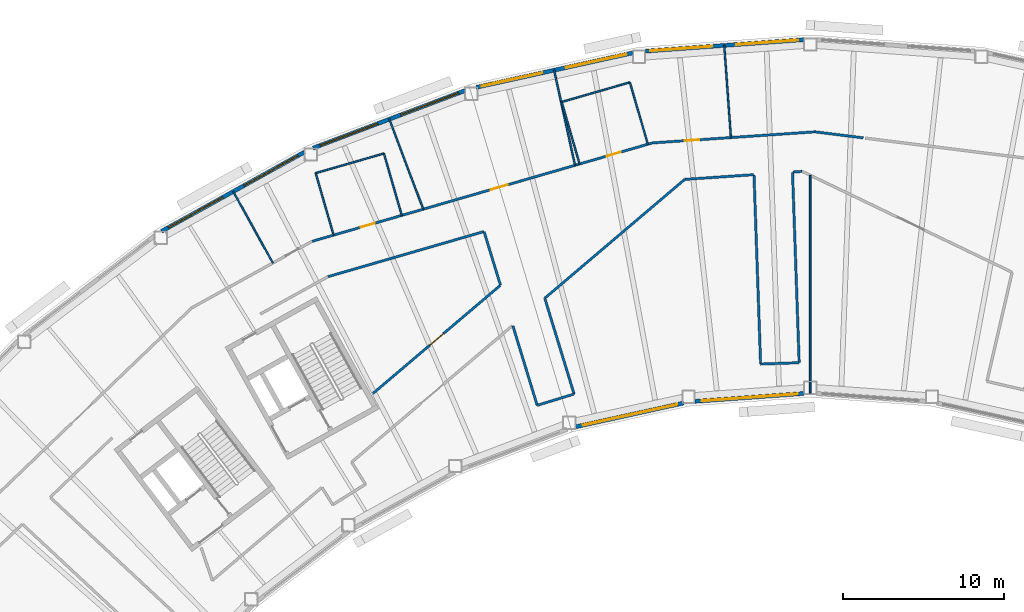
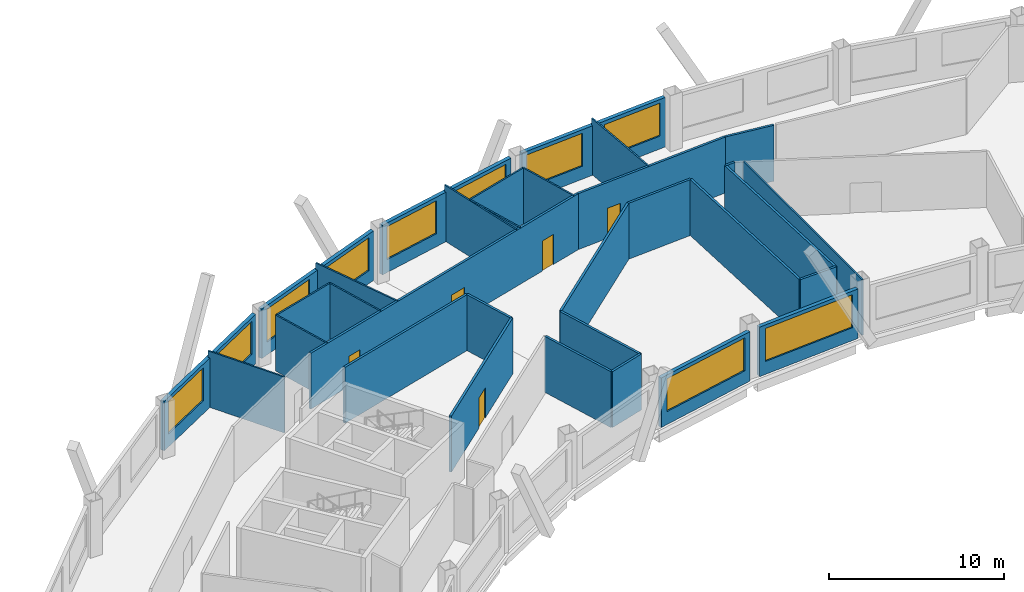
# One storey, part 6 of 12: 32 walls, 10 windows, 5 doors, 15 openings.
"""IFC4 building model written with IfcOpenShell, lengths in metres."""

from ifc_helpers import new_model, si_unit, direction, frame, frame_2d, origin, place, context, subcontext, project, spatial, rectangle, extrude, material, layer, layer_set, type_object, element, fill, save


model = new_model("IFC4")

# Units and contexts
model_context = context("Model", 3, precision=1e-05, world=origin(), true_north=direction((0.0, 1.0)))
body_context = subcontext(model_context, "Body", "Model", "MODEL_VIEW")
ifc_project = project(units=[si_unit("LENGTHUNIT", "METRE"), si_unit("AREAUNIT", "SQUARE_METRE"), si_unit("VOLUMEUNIT", "CUBIC_METRE"), si_unit("PLANEANGLEUNIT", "RADIAN"), si_unit("MASSUNIT", "GRAM", prefix="KILO")], contexts=[model_context])

# Site, building, storey
site_placement = place(None, origin())
site = spatial("IfcSite", under=ifc_project, at=site_placement, CompositionType="ELEMENT")
building_placement = place(site_placement, origin())
building = spatial("IfcBuilding", under=site, at=building_placement, Name="Tuul Gate Civic Tower", CompositionType="ELEMENT")
storey_placement = place(building_placement, frame((0.0, 0.0, 336.5)))
storey = spatial("IfcBuildingStorey", under=building, at=storey_placement, Name="Level 76", CompositionType="ELEMENT", Elevation=336.5)

# Wall, opening, door
ifc_material_1 = material(Name="Gypsum board partition")
ifc_layer_1 = layer(ifc_material_1, 0.14990234375)
ifc_layer_set_1 = layer_set([ifc_layer_1], Name="Gypsum board partition")
wall_type_1 = type_object("IfcWallType", Name="Corridor wall P150", PredefinedType="PARTITIONING", material=ifc_layer_set_1)
wall_1_placement = place(storey_placement, frame((-7.627197265625, 7.70263671875, 0.0), z_axis=(0.0, 0.0, 1.0), x_axis=(0.997685066746, 0.068003732193, 0.0)))
wall_1 = element("IfcWall", 1, at=wall_1_placement, inside=storey, type_object=wall_type_1, Name="p003", PredefinedType="PARTITIONING", context=body_context, shape_type="SweptSolid", body=[
    extrude(rectangle(XDim=10.138427734375, YDim=0.14990234375, at=frame_2d((5.0693359375, 0.0))), origin(), (0.0, 0.0, 1.0), 3.89990234375),
])
opening_1_placement = place(wall_1_placement, frame((2.013671875, 0.0, 0.0)))
opening_1 = element("IfcOpeningElement", 2, at=opening_1_placement, cuts=wall_1, Name="Opening AB-D11", PredefinedType="OPENING", context=body_context, shape_type="SweptSolid", body=[
    extrude(rectangle(XDim=0.89990234375, YDim=2.10009765625, at=frame_2d((0.449951171875, 1.050048828125))), frame((0.0, 0.0849609375, 0.0), z_axis=(0.0, -1.0, 0.0), x_axis=(1.0, 0.0, 0.0)), (0.0, 0.0, 1.0), 0.169921875),
])
ifc_material_2 = material(Name="Timber door leaf", Category="wood")
door_type_1 = type_object("IfcDoorType", Name="Door D09", OperationType="NOTDEFINED", PredefinedType="DOOR", material=ifc_material_2)
door_1_placement = place(opening_1_placement, origin())
door_1 = element("IfcDoor", 3, at=door_1_placement, inside=storey, type_object=door_type_1, Name="Door AB-D11", OperationType="SINGLE_SWING_RIGHT", OverallHeight=2.10009765625, OverallWidth=0.89990234375, PredefinedType="DOOR", context=body_context, shape_type="SweptSolid", body=[
    extrude(rectangle(XDim=0.89990234375, YDim=2.10009765625, at=frame_2d((0.449951171875, 1.050048828125))), frame((0.0, 0.02490234375, 0.0), z_axis=(0.0, -1.0, 0.0), x_axis=(1.0, 0.0, 0.0)), (0.0, 0.0, 1.0), 0.050048828125),
])
fill(opening_1, door_1)

# Wall
wall_2_placement = place(storey_placement, frame((2.48779296875, 8.39208984375, 0.0), z_axis=(0.0, 0.0, 1.0), x_axis=(0.992296478197, -0.123885831952, 0.0)))
element("IfcWall", 4, at=wall_2_placement, inside=storey, type_object=wall_type_1, Name="p013", PredefinedType="PARTITIONING", context=body_context, shape_type="SweptSolid", body=[
    extrude(rectangle(XDim=3.027099609375, YDim=0.14990234375, at=frame_2d((1.513671875, 0.0))), origin(), (0.0, 0.0, 1.0), 3.89990234375),
])

# Wall, openings, doors
wall_3_placement = place(storey_placement, frame((-28.7939453125, 1.5810546875, 0.0), z_axis=(0.0, 0.0, 1.0), x_axis=(0.960632535505, 0.277822122461, 0.0)))
wall_3 = element("IfcWall", 5, at=wall_3_placement, inside=storey, type_object=wall_type_1, Name="p017", PredefinedType="PARTITIONING", context=body_context, shape_type="SweptSolid", body=[
    extrude(rectangle(XDim=22.0341796875, YDim=0.14990234375, at=frame_2d((11.01708984375, 0.0))), origin(), (0.0, 0.0, 1.0), 3.89990234375),
])
opening_2_placement = place(wall_3_placement, frame((19.080078125, 0.0, 0.0)))
opening_2 = element("IfcOpeningElement", 6, at=opening_2_placement, cuts=wall_3, Name="Opening AB-D02", PredefinedType="OPENING", context=body_context, shape_type="SweptSolid", body=[
    extrude(rectangle(XDim=0.89990234375, YDim=2.10009765625, at=frame_2d((0.449951171875, 1.050048828125))), frame((0.0, 0.0849609375, 0.0), z_axis=(0.0, -1.0, 0.0), x_axis=(1.0, 0.0, 0.0)), (0.0, 0.0, 1.0), 0.169921875),
])
opening_3_placement = place(wall_3_placement, frame((11.562744140625, 0.0, 0.0)))
opening_3 = element("IfcOpeningElement", 7, at=opening_3_placement, cuts=wall_3, Name="Opening AB-D03", PredefinedType="OPENING", context=body_context, shape_type="SweptSolid", body=[
    extrude(rectangle(XDim=1.10009765625, YDim=2.10009765625, at=frame_2d((0.550048828125, 1.050048828125))), frame((0.0, 0.0849609375, 0.0), z_axis=(0.0, -1.0, 0.0), x_axis=(1.0, 0.0, 0.0)), (0.0, 0.0, 1.0), 0.169921875),
])
opening_4_placement = place(wall_3_placement, frame((3.14990234375, 0.0, 0.0)))
opening_4 = element("IfcOpeningElement", 8, at=opening_4_placement, cuts=wall_3, Name="Opening AB-D04", PredefinedType="OPENING", context=body_context, shape_type="SweptSolid", body=[
    extrude(rectangle(XDim=0.89990234375, YDim=2.10009765625, at=frame_2d((0.449951171875, 1.050048828125))), frame((0.0, 0.0849609375, 0.0), z_axis=(0.0, -1.0, 0.0), x_axis=(1.0, 0.0, 0.0)), (0.0, 0.0, 1.0), 0.169921875),
])
door_2_placement = place(opening_2_placement, origin())
door_2 = element("IfcDoor", 9, at=door_2_placement, inside=storey, type_object=door_type_1, Name="Door AB-D02", OperationType="SINGLE_SWING_RIGHT", OverallHeight=2.10009765625, OverallWidth=0.89990234375, PredefinedType="DOOR", context=body_context, shape_type="SweptSolid", body=[
    extrude(rectangle(XDim=0.89990234375, YDim=2.10009765625, at=frame_2d((0.449951171875, 1.050048828125))), frame((0.0, 0.02490234375, 0.0), z_axis=(0.0, -1.0, 0.0), x_axis=(1.0, 0.0, 0.0)), (0.0, 0.0, 1.0), 0.050048828125),
])
fill(opening_2, door_2)
door_3_placement = place(opening_4_placement, origin())
door_3 = element("IfcDoor", 10, at=door_3_placement, inside=storey, type_object=door_type_1, Name="Door AB-D04", OperationType="SINGLE_SWING_RIGHT", OverallHeight=2.10009765625, OverallWidth=0.89990234375, PredefinedType="DOOR", context=body_context, shape_type="SweptSolid", body=[
    extrude(rectangle(XDim=0.89990234375, YDim=2.10009765625, at=frame_2d((0.449951171875, 1.050048828125))), frame((0.0, 0.02490234375, 0.0), z_axis=(0.0, -1.0, 0.0), x_axis=(1.0, 0.0, 0.0)), (0.0, 0.0, 1.0), 0.050048828125),
])
fill(opening_4, door_3)
ifc_material_3 = material(Name="Timber door leaf", Category="wood")
door_type_2 = type_object("IfcDoorType", Name="Door D11", OperationType="NOTDEFINED", PredefinedType="DOOR", material=ifc_material_3)
door_4_placement = place(opening_3_placement, origin())
door_4 = element("IfcDoor", 11, at=door_4_placement, inside=storey, type_object=door_type_2, Name="Door AB-D03", OperationType="SINGLE_SWING_RIGHT", OverallHeight=2.10009765625, OverallWidth=1.10009765625, PredefinedType="DOOR", context=body_context, shape_type="SweptSolid", body=[
    extrude(rectangle(XDim=1.10009765625, YDim=2.10009765625, at=frame_2d((0.550048828125, 1.050048828125))), frame((0.0, 0.02490234375, 0.0), z_axis=(0.0, -1.0, 0.0), x_axis=(1.0, 0.0, 0.0)), (0.0, 0.0, 1.0), 0.050048828125),
])
fill(opening_3, door_4)

# Walls
wall_4_placement = place(storey_placement, frame((-14.310302734375, -1.9482421875, 0.0), z_axis=(0.0, 0.0, 1.0), x_axis=(0.762343916127, 0.647172120494, 0.0)))
element("IfcWall", 12, at=wall_4_placement, inside=storey, type_object=wall_type_1, Name="p057", PredefinedType="PARTITIONING", context=body_context, shape_type="SweptSolid", body=[
    extrude(rectangle(XDim=11.400146484375, YDim=0.14990234375, at=frame_2d((5.7001953125, 0.0))), origin(), (0.0, 0.0, 1.0), 3.89990234375),
])
wall_5_placement = place(storey_placement, frame((-18.092529296875, 2.1728515625, 0.0), z_axis=(0.0, 0.0, 1.0), x_axis=(0.292335056515, -0.956315959677, 0.0)))
element("IfcWall", 13, at=wall_5_placement, inside=storey, type_object=wall_type_1, Name="p061", PredefinedType="PARTITIONING", context=body_context, shape_type="SweptSolid", body=[
    extrude(rectangle(XDim=3.4599609375, YDim=0.14990234375, at=frame_2d((1.72998046875, 0.0))), origin(), (0.0, 0.0, 1.0), 3.89990234375),
])
wall_6_placement = place(storey_placement, frame((-16.30419921875, -3.67724609375, 0.0), z_axis=(0.0, 0.0, 1.0), x_axis=(0.292375757816, -0.956303516799, 0.0)))
element("IfcWall", 14, at=wall_6_placement, inside=storey, type_object=wall_type_1, Name="p062", PredefinedType="PARTITIONING", context=body_context, shape_type="SweptSolid", body=[
    extrude(rectangle(XDim=5.16796875, YDim=0.14990234375, at=frame_2d((2.583984375, 0.0))), origin(), (0.0, 0.0, 1.0), 3.89990234375),
])
wall_7_placement = place(storey_placement, frame((-14.793212890625, -8.619384765625, 0.0), z_axis=(0.0, 0.0, 1.0), x_axis=(0.956309708568, 0.292355504991, 0.0)))
element("IfcWall", 15, at=wall_7_placement, inside=storey, type_object=wall_type_1, Name="p063", PredefinedType="PARTITIONING", context=body_context, shape_type="SweptSolid", body=[
    extrude(rectangle(XDim=2.39990234375, YDim=0.14990234375, at=frame_2d((1.199951171875, 0.0))), origin(), (0.0, 0.0, 1.0), 3.89990234375),
])
wall_8_placement = place(storey_placement, frame((-14.316650390625, -1.96923828125, 0.0), z_axis=(0.0, 0.0, 1.0), x_axis=(0.292367108345, -0.956306161205, 0.0)))
element("IfcWall", 16, at=wall_8_placement, inside=storey, type_object=wall_type_1, Name="p064", PredefinedType="PARTITIONING", context=body_context, shape_type="SweptSolid", body=[
    extrude(rectangle(XDim=6.22021484375, YDim=0.14990234375, at=frame_2d((3.110107421875, 0.0))), origin(), (0.0, 0.0, 1.0), 3.89990234375),
])
wall_9_placement = place(storey_placement, frame((-5.610107421875, 5.4345703125, 0.0), z_axis=(0.0, 0.0, 1.0), x_axis=(0.997684131253, 0.068017455451, 0.0)))
element("IfcWall", 17, at=wall_9_placement, inside=storey, type_object=wall_type_1, Name="p065", PredefinedType="PARTITIONING", context=body_context, shape_type="SweptSolid", body=[
    extrude(rectangle(XDim=4.29296875, YDim=0.14990234375, at=frame_2d((2.146484375, 0.0))), origin(), (0.0, 0.0, 1.0), 3.89990234375),
])
wall_10_placement = place(storey_placement, frame((1.108642578125, 5.892578125, 0.0), z_axis=(0.0, 0.0, 1.0), x_axis=(0.997668816665, 0.06824171931, 0.0)))
element("IfcWall", 18, at=wall_10_placement, inside=storey, type_object=wall_type_1, Name="p066", PredefinedType="PARTITIONING", context=body_context, shape_type="SweptSolid", body=[
    extrude(rectangle(XDim=0.583251953125, YDim=0.14990234375, at=frame_2d((0.29150390625, 0.0))), origin(), (0.0, 0.0, 1.0), 3.89990234375),
])
wall_11_placement = place(storey_placement, frame((-1.305908203125, 5.707275390625, 0.0), z_axis=(0.0, 0.0, 1.0), x_axis=(0.034918900954, -0.999390149219, 0.0)))
element("IfcWall", 19, at=wall_11_placement, inside=storey, type_object=wall_type_1, Name="p067", PredefinedType="PARTITIONING", context=body_context, shape_type="SweptSolid", body=[
    extrude(rectangle(XDim=11.766845703125, YDim=0.14990234375, at=frame_2d((5.88330078125, 0.0))), origin(), (0.0, 0.0, 1.0), 3.89990234375),
])
wall_12_placement = place(storey_placement, frame((-0.89501953125, -6.052490234375, 0.0), z_axis=(0.0, 0.0, 1.0), x_axis=(0.999387493042, 0.034994838926, 0.0)))
element("IfcWall", 20, at=wall_12_placement, inside=storey, type_object=wall_type_1, Name="p068", PredefinedType="PARTITIONING", context=body_context, shape_type="SweptSolid", body=[
    extrude(rectangle(XDim=2.39990234375, YDim=0.14990234375, at=frame_2d((1.199951171875, 0.0))), origin(), (0.0, 0.0, 1.0), 3.89990234375),
])
wall_13_placement = place(storey_placement, frame((1.090087890625, 5.875732421875, 0.0), z_axis=(0.0, 0.0, 1.0), x_axis=(0.034875913426, -0.999391650287, 0.0)))
element("IfcWall", 21, at=wall_13_placement, inside=storey, type_object=wall_type_1, Name="p069", PredefinedType="PARTITIONING", context=body_context, shape_type="SweptSolid", body=[
    extrude(rectangle(XDim=11.8515625, YDim=0.14990234375, at=frame_2d((5.92578125, 0.0))), origin(), (0.0, 0.0, 1.0), 3.89990234375),
])
wall_14_placement = place(storey_placement, frame((-27.810302734375, -0.6181640625, 0.0), z_axis=(0.0, 0.0, 1.0), x_axis=(0.960602858486, 0.277924716909, 0.0)))
element("IfcWall", 22, at=wall_14_placement, inside=storey, type_object=wall_type_1, Name="p074", PredefinedType="PARTITIONING", context=body_context, shape_type="SweptSolid", body=[
    extrude(rectangle(XDim=10.090576171875, YDim=0.14990234375, at=frame_2d((5.04541015625, 0.0))), origin(), (0.0, 0.0, 1.0), 3.89990234375),
])

# Wall, opening, door
wall_15_placement = place(storey_placement, frame((-25.00390625, -7.878173828125, 0.0), z_axis=(0.0, 0.0, 1.0), x_axis=(0.762321434151, 0.647198602466, 0.0)))
wall_15 = element("IfcWall", 23, at=wall_15_placement, inside=storey, type_object=wall_type_1, Name="p075", PredefinedType="PARTITIONING", context=body_context, shape_type="SweptSolid", body=[
    extrude(rectangle(XDim=10.385009765625, YDim=0.14990234375, at=frame_2d((5.1923828125, 0.0))), origin(), (0.0, 0.0, 1.0), 3.89990234375),
])
opening_5_placement = place(wall_15_placement, frame((4.642578125, 0.0, 0.0)))
opening_5 = element("IfcOpeningElement", 24, at=opening_5_placement, cuts=wall_15, Name="Opening AB-D10", PredefinedType="OPENING", context=body_context, shape_type="SweptSolid", body=[
    extrude(rectangle(XDim=1.10009765625, YDim=2.10009765625, at=frame_2d((0.550048828125, 1.050048828125))), frame((0.0, 0.0849609375, 0.0), z_axis=(0.0, -1.0, 0.0), x_axis=(1.0, 0.0, 0.0)), (0.0, 0.0, 1.0), 0.169921875),
])
door_5_placement = place(opening_5_placement, origin())
door_5 = element("IfcDoor", 25, at=door_5_placement, inside=storey, type_object=door_type_2, Name="Door AB-D10", OperationType="SINGLE_SWING_RIGHT", OverallHeight=2.10009765625, OverallWidth=1.10009765625, PredefinedType="DOOR", context=body_context, shape_type="SweptSolid", body=[
    extrude(rectangle(XDim=1.10009765625, YDim=2.10009765625, at=frame_2d((0.550048828125, 1.050048828125))), frame((0.0, 0.02490234375, 0.0), z_axis=(0.0, -1.0, 0.0), x_axis=(1.0, 0.0, 0.0)), (0.0, 0.0, 1.0), 0.050048828125),
])
fill(opening_5, door_5)

# Wall, openings, windows
ifc_material_4 = material(Name="Precast concrete C40/50", Category="concrete")
ifc_layer_2 = layer(ifc_material_4, 0.25)
ifc_layer_set_2 = layer_set([ifc_layer_2], Name="Precast concrete C40/50")
wall_type_2 = type_object("IfcWallType", Name="External wall", PredefinedType="STANDARD", material=ifc_layer_set_2)
wall_16_placement = place(storey_placement, frame((1.7919921875, 14.124755859375, 0.0), z_axis=(0.0, 0.0, 1.0), x_axis=(-0.997387042659, -0.072243249762, 0.0)))
wall_16 = element("IfcWall", 26, at=wall_16_placement, inside=storey, type_object=wall_type_2, Name="External wall", PredefinedType="STANDARD", context=body_context, shape_type="SweptSolid", body=[
    extrude(rectangle(XDim=9.874755859375, YDim=0.25, at=frame_2d((4.9375, 0.0))), origin(), (0.0, 0.0, 1.0), 3.449951171875),
])
opening_6_placement = place(wall_16_placement, frame((0.350341796875, 0.0, 0.89990234375)))
opening_6 = element("IfcOpeningElement", 27, at=opening_6_placement, cuts=wall_16, Name="Opening W22", PredefinedType="OPENING", context=body_context, shape_type="SweptSolid", body=[
    extrude(rectangle(XDim=3.85009765625, YDim=2.300048828125, at=frame_2d((1.925048828125, 1.14990234375))), frame((0.0, 0.135009765625, 0.0), z_axis=(0.0, -1.0, 0.0), x_axis=(1.0, 0.0, 0.0)), (0.0, 0.0, 1.0), 0.27001953125),
])
opening_7_placement = place(wall_16_placement, frame((5.721435546875, 0.0, 0.89990234375)))
opening_7 = element("IfcOpeningElement", 28, at=opening_7_placement, cuts=wall_16, Name="Opening W22", PredefinedType="OPENING", context=body_context, shape_type="SweptSolid", body=[
    extrude(rectangle(XDim=3.85009765625, YDim=2.300048828125, at=frame_2d((1.925048828125, 1.14990234375))), frame((0.0, 0.135009765625, 0.0), z_axis=(0.0, -1.0, 0.0), x_axis=(1.0, 0.0, 0.0)), (0.0, 0.0, 1.0), 0.27001953125),
])
ifc_material_5 = material(Name="Glass", Category="glass")
window_type_1 = type_object("IfcWindowType", Name="Window W22 3850 x 2300", PartitioningType="SINGLE_PANEL", PredefinedType="WINDOW", material=ifc_material_5)
window_1_placement = place(opening_6_placement, origin())
window_1 = element("IfcWindow", 29, at=window_1_placement, inside=storey, type_object=window_type_1, Name="Window", OverallHeight=2.300048828125, OverallWidth=3.85009765625, PartitioningType="SINGLE_PANEL", PredefinedType="WINDOW", context=body_context, shape_type="SweptSolid", body=[
    extrude(rectangle(XDim=3.85009765625, YDim=2.300048828125, at=frame_2d((1.925048828125, 1.14990234375))), frame((0.0, 0.030029296875, 0.0), z_axis=(0.0, -1.0, 0.0), x_axis=(1.0, 0.0, 0.0)), (0.0, 0.0, 1.0), 0.06005859375),
])
fill(opening_6, window_1)
window_2_placement = place(opening_7_placement, origin())
window_2 = element("IfcWindow", 30, at=window_2_placement, inside=storey, type_object=window_type_1, Name="Window", OverallHeight=2.300048828125, OverallWidth=3.85009765625, PartitioningType="SINGLE_PANEL", PredefinedType="WINDOW", context=body_context, shape_type="SweptSolid", body=[
    extrude(rectangle(XDim=3.85009765625, YDim=2.300048828125, at=frame_2d((1.925048828125, 1.14990234375))), frame((0.0, 0.030029296875, 0.0), z_axis=(0.0, -1.0, 0.0), x_axis=(1.0, 0.0, 0.0)), (0.0, 0.0, 1.0), 0.06005859375),
])
fill(opening_7, window_2)

wall_17_placement = place(storey_placement, frame((-8.85693359375, 13.30126953125, 0.0), z_axis=(0.0, 0.0, 1.0), x_axis=(-0.97656455672, -0.215224688544, 0.0)))
wall_17 = element("IfcWall", 31, at=wall_17_placement, inside=storey, type_object=wall_type_2, Name="External wall", PredefinedType="STANDARD", context=body_context, shape_type="SweptSolid", body=[
    extrude(rectangle(XDim=9.95849609375, YDim=0.25, at=frame_2d((4.979248046875, 0.0))), origin(), (0.0, 0.0, 1.0), 3.449951171875),
])
opening_8_placement = place(wall_17_placement, frame((0.39013671875, 0.0, 0.89990234375)))
opening_8 = element("IfcOpeningElement", 32, at=opening_8_placement, cuts=wall_17, Name="Opening W22", PredefinedType="OPENING", context=body_context, shape_type="SweptSolid", body=[
    extrude(rectangle(XDim=3.85009765625, YDim=2.300048828125, at=frame_2d((1.925048828125, 1.14990234375))), frame((0.0, 0.135009765625, 0.0), z_axis=(0.0, -1.0, 0.0), x_axis=(1.0, 0.0, 0.0)), (0.0, 0.0, 1.0), 0.27001953125),
])
opening_9_placement = place(wall_17_placement, frame((5.761474609375, 0.0, 0.89990234375)))
opening_9 = element("IfcOpeningElement", 33, at=opening_9_placement, cuts=wall_17, Name="Opening W22", PredefinedType="OPENING", context=body_context, shape_type="SweptSolid", body=[
    extrude(rectangle(XDim=3.85009765625, YDim=2.300048828125, at=frame_2d((1.925048828125, 1.14990234375))), frame((0.0, 0.135009765625, 0.0), z_axis=(0.0, -1.0, 0.0), x_axis=(1.0, 0.0, 0.0)), (0.0, 0.0, 1.0), 0.27001953125),
])
window_3_placement = place(opening_8_placement, origin())
window_3 = element("IfcWindow", 34, at=window_3_placement, inside=storey, type_object=window_type_1, Name="Window", OverallHeight=2.300048828125, OverallWidth=3.85009765625, PartitioningType="SINGLE_PANEL", PredefinedType="WINDOW", context=body_context, shape_type="SweptSolid", body=[
    extrude(rectangle(XDim=3.85009765625, YDim=2.300048828125, at=frame_2d((1.925048828125, 1.14990234375))), frame((0.0, 0.030029296875, 0.0), z_axis=(0.0, -1.0, 0.0), x_axis=(1.0, 0.0, 0.0)), (0.0, 0.0, 1.0), 0.06005859375),
])
fill(opening_8, window_3)
window_4_placement = place(opening_9_placement, origin())
window_4 = element("IfcWindow", 35, at=window_4_placement, inside=storey, type_object=window_type_1, Name="Window", OverallHeight=2.300048828125, OverallWidth=3.85009765625, PartitioningType="SINGLE_PANEL", PredefinedType="WINDOW", context=body_context, shape_type="SweptSolid", body=[
    extrude(rectangle(XDim=3.85009765625, YDim=2.300048828125, at=frame_2d((1.925048828125, 1.14990234375))), frame((0.0, 0.030029296875, 0.0), z_axis=(0.0, -1.0, 0.0), x_axis=(1.0, 0.0, 0.0)), (0.0, 0.0, 1.0), 0.06005859375),
])
fill(opening_9, window_4)

wall_18_placement = place(storey_placement, frame((-19.284912109375, 10.95458984375, 0.0), z_axis=(0.0, 0.0, 1.0), x_axis=(-0.93534700963, -0.353731496444, 0.0)))
wall_18 = element("IfcWall", 36, at=wall_18_placement, inside=storey, type_object=wall_type_2, Name="External wall", PredefinedType="STANDARD", context=body_context, shape_type="SweptSolid", body=[
    extrude(rectangle(XDim=10.099609375, YDim=0.25, at=frame_2d((5.0498046875, 0.0))), origin(), (0.0, 0.0, 1.0), 3.449951171875),
])
opening_10_placement = place(wall_18_placement, frame((0.422607421875, 0.0, 0.89990234375)))
opening_10 = element("IfcOpeningElement", 37, at=opening_10_placement, cuts=wall_18, Name="Opening W22", PredefinedType="OPENING", context=body_context, shape_type="SweptSolid", body=[
    extrude(rectangle(XDim=3.85009765625, YDim=2.300048828125, at=frame_2d((1.925048828125, 1.14990234375))), frame((0.0, 0.135009765625, 0.0), z_axis=(0.0, -1.0, 0.0), x_axis=(1.0, 0.0, 0.0)), (0.0, 0.0, 1.0), 0.27001953125),
])
opening_11_placement = place(wall_18_placement, frame((5.7939453125, 0.0, 0.89990234375)))
opening_11 = element("IfcOpeningElement", 38, at=opening_11_placement, cuts=wall_18, Name="Opening W22", PredefinedType="OPENING", context=body_context, shape_type="SweptSolid", body=[
    extrude(rectangle(XDim=3.85009765625, YDim=2.300048828125, at=frame_2d((1.925048828125, 1.14990234375))), frame((0.0, 0.135009765625, 0.0), z_axis=(0.0, -1.0, 0.0), x_axis=(1.0, 0.0, 0.0)), (0.0, 0.0, 1.0), 0.27001953125),
])
window_5_placement = place(opening_10_placement, origin())
window_5 = element("IfcWindow", 39, at=window_5_placement, inside=storey, type_object=window_type_1, Name="Window", OverallHeight=2.300048828125, OverallWidth=3.85009765625, PartitioningType="SINGLE_PANEL", PredefinedType="WINDOW", context=body_context, shape_type="SweptSolid", body=[
    extrude(rectangle(XDim=3.85009765625, YDim=2.300048828125, at=frame_2d((1.925048828125, 1.14990234375))), frame((0.0, 0.030029296875, 0.0), z_axis=(0.0, -1.0, 0.0), x_axis=(1.0, 0.0, 0.0)), (0.0, 0.0, 1.0), 0.06005859375),
])
fill(opening_10, window_5)
window_6_placement = place(opening_11_placement, origin())
window_6 = element("IfcWindow", 40, at=window_6_placement, inside=storey, type_object=window_type_1, Name="Window", OverallHeight=2.300048828125, OverallWidth=3.85009765625, PartitioningType="SINGLE_PANEL", PredefinedType="WINDOW", context=body_context, shape_type="SweptSolid", body=[
    extrude(rectangle(XDim=3.85009765625, YDim=2.300048828125, at=frame_2d((1.925048828125, 1.14990234375))), frame((0.0, 0.030029296875, 0.0), z_axis=(0.0, -1.0, 0.0), x_axis=(1.0, 0.0, 0.0)), (0.0, 0.0, 1.0), 0.06005859375),
])
fill(opening_11, window_6)

wall_19_placement = place(storey_placement, frame((-29.27197265625, 7.131103515625, 0.0), z_axis=(0.0, 0.0, 1.0), x_axis=(-0.87463511472, -0.484781823193, 0.0)))
wall_19 = element("IfcWall", 41, at=wall_19_placement, inside=storey, type_object=wall_type_2, Name="External wall", PredefinedType="STANDARD", context=body_context, shape_type="SweptSolid", body=[
    extrude(rectangle(XDim=10.161376953125, YDim=0.25, at=frame_2d((5.08056640625, 0.0))), origin(), (0.0, 0.0, 1.0), 3.449951171875),
])
opening_12_placement = place(wall_19_placement, frame((0.4501953125, 0.0, 0.89990234375)))
opening_12 = element("IfcOpeningElement", 42, at=opening_12_placement, cuts=wall_19, Name="Opening W22", PredefinedType="OPENING", context=body_context, shape_type="SweptSolid", body=[
    extrude(rectangle(XDim=3.85009765625, YDim=2.300048828125, at=frame_2d((1.925048828125, 1.14990234375))), frame((0.0, 0.135009765625, 0.0), z_axis=(0.0, -1.0, 0.0), x_axis=(1.0, 0.0, 0.0)), (0.0, 0.0, 1.0), 0.27001953125),
])
opening_13_placement = place(wall_19_placement, frame((5.821533203125, 0.0, 0.89990234375)))
opening_13 = element("IfcOpeningElement", 43, at=opening_13_placement, cuts=wall_19, Name="Opening W22", PredefinedType="OPENING", context=body_context, shape_type="SweptSolid", body=[
    extrude(rectangle(XDim=3.85009765625, YDim=2.300048828125, at=frame_2d((1.925048828125, 1.14990234375))), frame((0.0, 0.135009765625, 0.0), z_axis=(0.0, -1.0, 0.0), x_axis=(1.0, 0.0, 0.0)), (0.0, 0.0, 1.0), 0.27001953125),
])
window_7_placement = place(opening_12_placement, origin())
window_7 = element("IfcWindow", 44, at=window_7_placement, inside=storey, type_object=window_type_1, Name="Window", OverallHeight=2.300048828125, OverallWidth=3.85009765625, PartitioningType="SINGLE_PANEL", PredefinedType="WINDOW", context=body_context, shape_type="SweptSolid", body=[
    extrude(rectangle(XDim=3.85009765625, YDim=2.300048828125, at=frame_2d((1.925048828125, 1.14990234375))), frame((0.0, 0.030029296875, 0.0), z_axis=(0.0, -1.0, 0.0), x_axis=(1.0, 0.0, 0.0)), (0.0, 0.0, 1.0), 0.06005859375),
])
fill(opening_12, window_7)
window_8_placement = place(opening_13_placement, origin())
window_8 = element("IfcWindow", 45, at=window_8_placement, inside=storey, type_object=window_type_1, Name="Window", OverallHeight=2.300048828125, OverallWidth=3.85009765625, PartitioningType="SINGLE_PANEL", PredefinedType="WINDOW", context=body_context, shape_type="SweptSolid", body=[
    extrude(rectangle(XDim=3.85009765625, YDim=2.300048828125, at=frame_2d((1.925048828125, 1.14990234375))), frame((0.0, 0.030029296875, 0.0), z_axis=(0.0, -1.0, 0.0), x_axis=(1.0, 0.0, 0.0)), (0.0, 0.0, 1.0), 0.06005859375),
])
fill(opening_13, window_8)

# Wall, opening, window
wall_20_placement = place(storey_placement, frame((-12.39404296875, -9.955322265625, 0.0), z_axis=(0.0, 0.0, 1.0), x_axis=(0.976561146318, 0.215240162382, 0.0)))
wall_20 = element("IfcWall", 46, at=wall_20_placement, inside=storey, type_object=wall_type_2, Name="External wall", PredefinedType="STANDARD", context=body_context, shape_type="SweptSolid", body=[
    extrude(rectangle(XDim=6.867919921875, YDim=0.25, at=frame_2d((3.43408203125, 0.0))), origin(), (0.0, 0.0, 1.0), 3.449951171875),
])
opening_14_placement = place(wall_20_placement, frame((0.458251953125, 0.0, 0.89990234375)))
opening_14 = element("IfcOpeningElement", 47, at=opening_14_placement, cuts=wall_20, Name="Opening W26", PredefinedType="OPENING", context=body_context, shape_type="SweptSolid", body=[
    extrude(rectangle(XDim=6.0, YDim=2.300048828125, at=frame_2d((3.0, 1.14990234375))), frame((0.0, 0.135009765625, 0.0), z_axis=(0.0, -1.0, 0.0), x_axis=(1.0, 0.0, 0.0)), (0.0, 0.0, 1.0), 0.27001953125),
])
ifc_material_6 = material(Name="Glass", Category="glass")
window_type_2 = type_object("IfcWindowType", Name="Window W26 6000 x 2300", PartitioningType="SINGLE_PANEL", PredefinedType="WINDOW", material=ifc_material_6)
window_9_placement = place(opening_14_placement, origin())
window_9 = element("IfcWindow", 48, at=window_9_placement, inside=storey, type_object=window_type_2, Name="Window", OverallHeight=2.300048828125, OverallWidth=6.0, PartitioningType="SINGLE_PANEL", PredefinedType="WINDOW", context=body_context, shape_type="SweptSolid", body=[
    extrude(rectangle(XDim=6.0, YDim=2.300048828125, at=frame_2d((3.0, 1.14990234375))), frame((0.0, 0.030029296875, 0.0), z_axis=(0.0, -1.0, 0.0), x_axis=(1.0, 0.0, 0.0)), (0.0, 0.0, 1.0), 0.06005859375),
])
fill(opening_14, window_9)

wall_21_placement = place(storey_placement, frame((-4.97998046875, -8.373291015625, 0.0), z_axis=(0.0, 0.0, 1.0), x_axis=(0.997384795983, 0.072274260578, 0.0)))
wall_21 = element("IfcWall", 49, at=wall_21_placement, inside=storey, type_object=wall_type_2, Name="External wall", PredefinedType="STANDARD", context=body_context, shape_type="SweptSolid", body=[
    extrude(rectangle(XDim=6.789794921875, YDim=0.25, at=frame_2d((3.39501953125, 0.0))), origin(), (0.0, 0.0, 1.0), 3.449951171875),
])
opening_15_placement = place(wall_21_placement, frame((0.41845703125, 0.0, 0.89990234375)))
opening_15 = element("IfcOpeningElement", 50, at=opening_15_placement, cuts=wall_21, Name="Opening W26", PredefinedType="OPENING", context=body_context, shape_type="SweptSolid", body=[
    extrude(rectangle(XDim=6.0, YDim=2.300048828125, at=frame_2d((3.0, 1.14990234375))), frame((0.0, 0.135009765625, 0.0), z_axis=(0.0, -1.0, 0.0), x_axis=(1.0, 0.0, 0.0)), (0.0, 0.0, 1.0), 0.27001953125),
])
window_10_placement = place(opening_15_placement, origin())
window_10 = element("IfcWindow", 51, at=window_10_placement, inside=storey, type_object=window_type_2, Name="Window", OverallHeight=2.300048828125, OverallWidth=6.0, PartitioningType="SINGLE_PANEL", PredefinedType="WINDOW", context=body_context, shape_type="SweptSolid", body=[
    extrude(rectangle(XDim=6.0, YDim=2.300048828125, at=frame_2d((3.0, 1.14990234375))), frame((0.0, 0.030029296875, 0.0), z_axis=(0.0, -1.0, 0.0), x_axis=(1.0, 0.0, 0.0)), (0.0, 0.0, 1.0), 0.06005859375),
])
fill(opening_15, window_10)

# Walls
ifc_material_7 = material(Name="Gypsum board partition")
ifc_layer_3 = layer(ifc_material_7, 0.10009765625)
ifc_layer_set_3 = layer_set([ifc_layer_3], Name="Gypsum board partition")
wall_type_3 = type_object("IfcWallType", Name="Partition P100", PredefinedType="PARTITIONING", material=ifc_layer_set_3)
wall_22_placement = place(storey_placement, frame((-3.156494140625, 13.771240234375, 0.0), z_axis=(0.0, 0.0, 1.0), x_axis=(0.072218559555, -0.997388830725, 0.0)))
element("IfcWall", 52, at=wall_22_placement, inside=storey, type_object=wall_type_3, Name="p016", PredefinedType="PARTITIONING", context=body_context, shape_type="SweptSolid", body=[
    extrude(rectangle(XDim=5.75048828125, YDim=0.10009765625, at=frame_2d((2.875244140625, 0.0))), origin(), (0.0, 0.0, 1.0), 3.89990234375),
])
wall_23_placement = place(storey_placement, frame((-13.269775390625, 10.2451171875, 0.0), z_axis=(0.0, 0.0, 1.0), x_axis=(0.2778156193, -0.960634416244, 0.0)))
element("IfcWall", 53, at=wall_23_placement, inside=storey, type_object=wall_type_3, Name="p018", PredefinedType="PARTITIONING", context=body_context, shape_type="SweptSolid", body=[
    extrude(rectangle(XDim=4.010009765625, YDim=0.10009765625, at=frame_2d((2.0048828125, 0.0))), origin(), (0.0, 0.0, 1.0), 3.89990234375),
])
wall_24_placement = place(storey_placement, frame((-28.57275390625, 5.8193359375, 0.0), z_axis=(0.0, 0.0, 1.0), x_axis=(0.960626747961, 0.277842133416, 0.0)))
element("IfcWall", 54, at=wall_24_placement, inside=storey, type_object=wall_type_3, Name="p019", PredefinedType="PARTITIONING", context=body_context, shape_type="SweptSolid", body=[
    extrude(rectangle(XDim=4.419921875, YDim=0.10009765625, at=frame_2d((2.2099609375, 0.0))), origin(), (0.0, 0.0, 1.0), 3.89990234375),
])
wall_25_placement = place(storey_placement, frame((-13.269775390625, 10.2451171875, 0.0), z_axis=(0.0, 0.0, 1.0), x_axis=(0.960631011712, 0.277827391267, 0.0)))
element("IfcWall", 55, at=wall_25_placement, inside=storey, type_object=wall_type_3, Name="p020", PredefinedType="PARTITIONING", context=body_context, shape_type="SweptSolid", body=[
    extrude(rectangle(XDim=4.420166015625, YDim=0.10009765625, at=frame_2d((2.2099609375, 0.0))), origin(), (0.0, 0.0, 1.0), 3.89990234375),
])
wall_26_placement = place(storey_placement, frame((-9.023681640625, 11.47314453125, 0.0), z_axis=(0.0, 0.0, 1.0), x_axis=(0.2778156193, -0.960634416244, 0.0)))
element("IfcWall", 56, at=wall_26_placement, inside=storey, type_object=wall_type_3, Name="p021", PredefinedType="PARTITIONING", context=body_context, shape_type="SweptSolid", body=[
    extrude(rectangle(XDim=4.010009765625, YDim=0.10009765625, at=frame_2d((2.0048828125, 0.0))), origin(), (0.0, 0.0, 1.0), 3.89990234375),
])
wall_27_placement = place(storey_placement, frame((-13.7421875, 12.229736328125, 0.0), z_axis=(0.0, 0.0, 1.0), x_axis=(0.215236786577, -0.97656189036, 0.0)))
element("IfcWall", 57, at=wall_27_placement, inside=storey, type_object=wall_type_3, Name="p022", PredefinedType="PARTITIONING", context=body_context, shape_type="SweptSolid", body=[
    extrude(rectangle(XDim=6.060546875, YDim=0.10009765625, at=frame_2d((3.0302734375, 0.0))), origin(), (0.0, 0.0, 1.0), 3.89990234375),
])
wall_28_placement = place(storey_placement, frame((-23.994873046875, 9.1787109375, 0.0), z_axis=(0.0, 0.0, 1.0), x_axis=(0.353697261747, -0.935359955863, 0.0)))
element("IfcWall", 58, at=wall_28_placement, inside=storey, type_object=wall_type_3, Name="p023", PredefinedType="PARTITIONING", context=body_context, shape_type="SweptSolid", body=[
    extrude(rectangle(XDim=5.984375, YDim=0.10009765625, at=frame_2d((2.9921875, 0.0))), origin(), (0.0, 0.0, 1.0), 3.89990234375),
])
for number, where, z_axis, x_axis, name in (
    (59, (-28.57275390625, 5.8193359375, 0.0), (0.0, 0.0, 1.0), (0.2778156193, -0.960634416244, 0.0), "p024"),
    (60, (-24.326904296875, 7.04736328125, 0.0), (0.0, 0.0, 1.0), (0.2778156193, -0.960634416244, 0.0), "p025"),
):
    element("IfcWall", number, at=place(storey_placement, frame(where, z_axis=z_axis, x_axis=x_axis)), inside=storey, type_object=wall_type_3, Name=name, PredefinedType="PARTITIONING", context=body_context, shape_type="SweptSolid", body=[
        extrude(rectangle(XDim=4.010009765625, YDim=0.10009765625, at=frame_2d((2.0048828125, 0.0))), origin(), (0.0, 0.0, 1.0), 3.89990234375),
    ])
wall_29_placement = place(storey_placement, frame((-33.700927734375, 4.681884765625, 0.0), z_axis=(0.0, 0.0, 1.0), x_axis=(0.484799250798, -0.874625454938, 0.0)))
element("IfcWall", 61, at=wall_29_placement, inside=storey, type_object=wall_type_3, Name="p032", PredefinedType="PARTITIONING", context=body_context, shape_type="SweptSolid", body=[
    extrude(rectangle(XDim=5.087158203125, YDim=0.10009765625, at=frame_2d((2.54345703125, 0.0))), origin(), (0.0, 0.0, 1.0), 3.89990234375),
])
wall_30_placement = place(storey_placement, frame((2.19189453125, -7.858642578125, 0.0), z_axis=(0.0, 0.0, 1.0), x_axis=(0.0, 1.0, 0.0)))
element("IfcWall", 62, at=wall_30_placement, inside=storey, type_object=wall_type_3, Name="p043", PredefinedType="PARTITIONING", context=body_context, shape_type="SweptSolid", body=[
    extrude(rectangle(XDim=13.550537109375, YDim=0.10009765625, at=frame_2d((6.775390625, 0.0))), origin(), (0.0, 0.0, 1.0), 3.89990234375),
])

save(model, "model.ifc")
